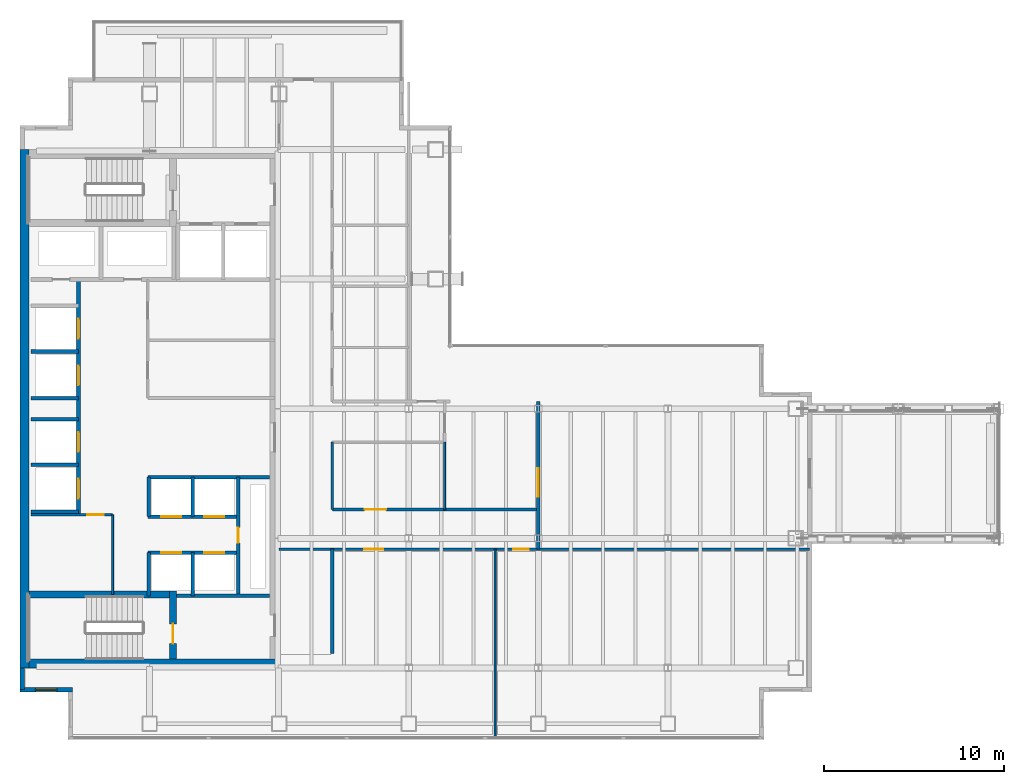
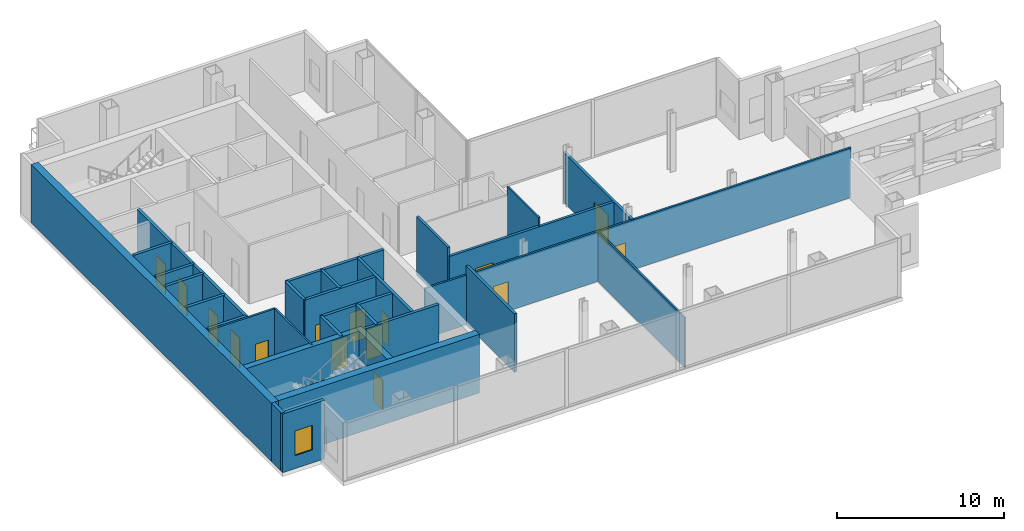
# One storey, part 16 of 20: 30 walls, 15 doors, 1 window, 16 openings.
"""IFC4 building model written with IfcOpenShell, lengths in metres."""

from ifc_helpers import new_model, si_unit, direction, frame, frame_2d, origin, place, context, subcontext, project, spatial, rectangle, extrude, material, layer, layer_set, type_object, element, fill, save


model = new_model("IFC4")

# Units and contexts
model_context = context("Model", 3, precision=1e-05, world=origin(), true_north=direction((0.0, 1.0)))
body_context = subcontext(model_context, "Body", "Model", "MODEL_VIEW")
ifc_project = project(units=[si_unit("LENGTHUNIT", "METRE"), si_unit("AREAUNIT", "SQUARE_METRE"), si_unit("VOLUMEUNIT", "CUBIC_METRE"), si_unit("PLANEANGLEUNIT", "RADIAN"), si_unit("MASSUNIT", "GRAM", prefix="KILO")], contexts=[model_context])

# Site, building, storey
site_placement = place(None, origin())
site = spatial("IfcSite", under=ifc_project, at=site_placement, CompositionType="ELEMENT")
building_placement = place(site_placement, origin())
building = spatial("IfcBuilding", under=site, at=building_placement, Name="Cobrela Telecom Tower", CompositionType="ELEMENT")
storey_placement = place(building_placement, frame((0.0, 0.0, 168.699951171875)))
storey = spatial("IfcBuildingStorey", under=building, at=storey_placement, Name="L42", CompositionType="ELEMENT", Elevation=168.699951171875)

# Walls
ifc_material_1 = material(Name="Concrete C40/50", Category="concrete")
ifc_layer_1 = layer(ifc_material_1, 0.5)
ifc_layer_set_1 = layer_set([ifc_layer_1], Name="Concrete C40/50")
wall_type_1 = type_object("IfcWallType", Name="WALL-CORE-C40-500", PredefinedType="SHEAR", material=ifc_layer_set_1)
wall_1_placement = place(storey_placement, frame((0.25, 7.199951171875, 0.0), z_axis=(0.0, 0.0, 1.0), x_axis=(0.0, 1.0, 0.0)))
element("IfcWall", 1, at=wall_1_placement, inside=storey, type_object=wall_type_1, Name="L42 West Core Shear Wall", PredefinedType="SHEAR", context=body_context, shape_type="SweptSolid", body=[
    extrude(rectangle(XDim=28.800048828125, YDim=0.5, at=frame_2d((14.39990234375, 0.0))), origin(), (0.0, 0.0, 1.0), 4.2900390625),
])
wall_2_placement = place(storey_placement, frame((0.5, 7.449951171875, 0.0), z_axis=(0.0, 0.0, 1.0), x_axis=(1.0, 0.0, 0.0)))
element("IfcWall", 2, at=wall_2_placement, inside=storey, type_object=wall_type_1, Name="L42 South Core Shear Wall", PredefinedType="SHEAR", context=body_context, shape_type="SweptSolid", body=[
    extrude(rectangle(XDim=13.89990234375, YDim=0.5, at=frame_2d((6.949951171875, 0.0))), origin(), (0.0, 0.0, 1.0), 4.2900390625),
])

# Wall, opening, window
ifc_layer_2 = layer(ifc_material_1, 0.239990234375)
ifc_layer_set_2 = layer_set([ifc_layer_2], Name="Concrete C40/50")
wall_type_2 = type_object("IfcWallType", Name="WALL-EXT-300", PredefinedType="STANDARD", material=ifc_layer_set_2)
wall_3_placement = place(storey_placement, frame((2.909912109375, 5.989990234375, 0.0), z_axis=(0.0, 0.0, 1.0), x_axis=(-1.0, 0.0, 0.0)))
wall_3 = element("IfcWall", 3, at=wall_3_placement, inside=storey, type_object=wall_type_2, Name="L42 Insulated Facade Wall 02", PredefinedType="STANDARD", context=body_context, shape_type="SweptSolid", body=[
    extrude(rectangle(XDim=2.909912109375, YDim=0.239990234375, at=frame_2d((1.455078125, 0.0))), origin(), (0.0, 0.0, 1.0), 4.2900390625),
])
opening_1_placement = place(wall_3_placement, frame((0.85498046875, 0.0, 0.949951171875)))
opening_1 = element("IfcOpeningElement", 4, at=opening_1_placement, cuts=wall_3, Name="Opening WN-19", PredefinedType="OPENING", context=body_context, shape_type="SweptSolid", body=[
    extrude(rectangle(XDim=1.199951171875, YDim=1.800048828125, at=frame_2d((0.60009765625, 0.89990234375))), frame((0.0, 0.1318359375, 0.0), z_axis=(0.0, -1.0, 0.0), x_axis=(1.0, 0.0, 0.0)), (0.0, 0.0, 1.0), 0.263916015625),
])
ifc_material_2 = material(Name="Solar-Control Bronze Low-E Glass", Category="glass")
window_type = type_object("IfcWindowType", Name="WIN-MOD-1200", PartitioningType="SINGLE_PANEL", PredefinedType="WINDOW", material=ifc_material_2)
window_placement = place(opening_1_placement, origin())
window = element("IfcWindow", 5, at=window_placement, inside=storey, type_object=window_type, Name="L42 Corner Notch Facade Window 201", OverallHeight=1.800048828125, OverallWidth=1.199951171875, PartitioningType="SINGLE_PANEL", PredefinedType="WINDOW", context=body_context, shape_type="SweptSolid", body=[
    extrude(rectangle(XDim=1.199951171875, YDim=1.800048828125, at=frame_2d((0.60009765625, 0.89990234375))), frame((0.0, 0.030029296875, 0.0), z_axis=(0.0, -1.0, 0.0), x_axis=(1.0, 0.0, 0.0)), (0.0, 0.0, 1.0), 0.06005859375),
])
fill(opening_1, window)

# Walls
wall_4_placement = place(storey_placement, frame((0.1201171875, 5.989990234375, 0.0), z_axis=(0.0, 0.0, 1.0), x_axis=(0.0, 1.0, 0.0)))
element("IfcWall", 6, at=wall_4_placement, inside=storey, type_object=wall_type_2, Name="L42 Insulated Facade Wall 03", PredefinedType="STANDARD", context=body_context, shape_type="SweptSolid", body=[
    extrude(rectangle(XDim=1.2099609375, YDim=0.239990234375, at=frame_2d((0.60498046875, 0.0))), origin(), (0.0, 0.0, 1.0), 4.2900390625),
])
ifc_material_3 = material(Name="Fire-Rated Gypsum Plasterboard")
ifc_layer_3 = layer(ifc_material_3, 0.110107421875)
ifc_layer_set_3 = layer_set([ifc_layer_3], Name="Fire-Rated Gypsum Plasterboard")
wall_type_3 = type_object("IfcWallType", Name="WALL-PART-110", PredefinedType="PARTITIONING", material=ifc_layer_set_3)
wall_5_placement = place(storey_placement, frame((5.14990234375, 11.280029296875, 0.0), z_axis=(0.0, 0.0, 1.0), x_axis=(0.0, 1.0, 0.0)))
element("IfcWall", 7, at=wall_5_placement, inside=storey, type_object=wall_type_3, Name="L42 Interior Partition CW-FLEX-E", PredefinedType="PARTITIONING", context=body_context, shape_type="SweptSolid", body=[
    extrude(rectangle(XDim=4.419921875, YDim=0.110107421875, at=frame_2d((2.2099609375, 0.0))), origin(), (0.0, 0.0, 1.0), 4.2900390625),
])
wall_6_placement = place(storey_placement, frame((26.39990234375, 3.320068359375, 0.0), z_axis=(0.0, 0.0, 1.0), x_axis=(0.0, 1.0, 0.0)))
element("IfcWall", 8, at=wall_6_placement, inside=storey, type_object=wall_type_3, Name="L42 Interior Partition W-SKY-V2", PredefinedType="PARTITIONING", context=body_context, shape_type="SweptSolid", body=[
    extrude(rectangle(XDim=10.47998046875, YDim=0.110107421875, at=frame_2d((5.239990234375, 0.0))), origin(), (0.0, 0.0, 1.0), 3.653076171875),
])
wall_7_placement = place(storey_placement, frame((23.60009765625, 16.0, 0.0), z_axis=(0.0, 0.0, 1.0), x_axis=(0.0, 1.0, 0.0)))
element("IfcWall", 9, at=wall_7_placement, inside=storey, type_object=wall_type_3, Name="L42 Interior Partition W-SKY-SALE", PredefinedType="PARTITIONING", context=body_context, shape_type="SweptSolid", body=[
    extrude(rectangle(XDim=3.75, YDim=0.110107421875, at=frame_2d((1.875, 0.0))), origin(), (0.0, 0.0, 1.0), 4.2900390625),
])

# Wall, opening, door
ifc_layer_4 = layer(ifc_material_3, 0.135009765625)
ifc_layer_set_4 = layer_set([ifc_layer_4], Name="Fire-Rated Gypsum Plasterboard")
wall_type_4 = type_object("IfcWallType", Name="WALL-PART-135", PredefinedType="PARTITIONING", material=ifc_layer_set_4)
wall_8_placement = place(storey_placement, frame((0.60009765625, 15.699951171875, 0.0), z_axis=(0.0, 0.0, 1.0), x_axis=(1.0, 0.0, 0.0)))
wall_8 = element("IfcWall", 10, at=wall_8_placement, inside=storey, type_object=wall_type_4, Name="L42 Interior Partition CW-FLEX-N", PredefinedType="PARTITIONING", context=body_context, shape_type="SweptSolid", body=[
    extrude(rectangle(XDim=4.5498046875, YDim=0.135009765625, at=frame_2d((2.27490234375, 0.0))), origin(), (0.0, 0.0, 1.0), 4.2900390625),
])
opening_2_placement = place(wall_8_placement, frame((3.14990234375, 0.0, 0.0)))
opening_2 = element("IfcOpeningElement", 11, at=opening_2_placement, cuts=wall_8, Name="Opening DR-41", PredefinedType="OPENING", context=body_context, shape_type="SweptSolid", body=[
    extrude(rectangle(XDim=0.89990234375, YDim=2.14990234375, at=frame_2d((0.449951171875, 1.074951171875))), frame((0.0, 0.07958984375, 0.0), z_axis=(0.0, -1.0, 0.0), x_axis=(1.0, 0.0, 0.0)), (0.0, 0.0, 1.0), 0.158935546875),
])
ifc_material_4 = material(Name="Solid Engineered Oak Timber", Category="wood")
door_type_1 = type_object("IfcDoorType", Name="DOOR-INT-900", OperationType="SINGLE_SWING_LEFT", PredefinedType="DOOR", material=ifc_material_4)
door_1_placement = place(opening_2_placement, origin())
door_1 = element("IfcDoor", 12, at=door_1_placement, inside=storey, type_object=door_type_1, Name="L42 Door DR-41", OperationType="SINGLE_SWING_LEFT", OverallHeight=2.14990234375, OverallWidth=0.89990234375, PredefinedType="DOOR", context=body_context, shape_type="SweptSolid", body=[
    extrude(rectangle(XDim=0.89990234375, YDim=2.14990234375, at=frame_2d((0.449951171875, 1.074951171875))), frame((0.0, 0.02490234375, 0.0), z_axis=(0.0, -1.0, 0.0), x_axis=(1.0, 0.0, 0.0)), (0.0, 0.0, 1.0), 0.050048828125),
])
fill(opening_2, door_1)

# Wall, openings, doors
wall_9_placement = place(storey_placement, frame((14.39990234375, 13.800048828125, 0.0), z_axis=(0.0, 0.0, 1.0), x_axis=(1.0, 0.0, 0.0)))
wall_9 = element("IfcWall", 13, at=wall_9_placement, inside=storey, type_object=wall_type_4, Name="L42 Interior Partition W-SKY-H2", PredefinedType="PARTITIONING", context=body_context, shape_type="SweptSolid", body=[
    extrude(rectangle(XDim=29.47998046875, YDim=0.135009765625, at=frame_2d((14.739990234375, 0.0))), origin(), (0.0, 0.0, 1.0), 3.653076171875),
])
opening_3_placement = place(wall_9_placement, frame((4.719970703125, 0.0, 0.0)))
opening_3 = element("IfcOpeningElement", 14, at=opening_3_placement, cuts=wall_9, Name="Opening DR-29", PredefinedType="OPENING", context=body_context, shape_type="SweptSolid", body=[
    extrude(rectangle(XDim=1.050048828125, YDim=2.14990234375, at=frame_2d((0.52490234375, 1.074951171875))), frame((0.0, 0.07958984375, 0.0), z_axis=(0.0, -1.0, 0.0), x_axis=(1.0, 0.0, 0.0)), (0.0, 0.0, 1.0), 0.158935546875),
])
opening_4_placement = place(wall_9_placement, frame((13.0, 0.0, 0.0)))
opening_4 = element("IfcOpeningElement", 15, at=opening_4_placement, cuts=wall_9, Name="Opening DR-39", PredefinedType="OPENING", context=body_context, shape_type="SweptSolid", body=[
    extrude(rectangle(XDim=0.8798828125, YDim=2.14990234375, at=frame_2d((0.43994140625, 1.074951171875))), frame((0.0, 0.07958984375, 0.0), z_axis=(0.0, -1.0, 0.0), x_axis=(1.0, 0.0, 0.0)), (0.0, 0.0, 1.0), 0.158935546875),
])
door_type_2 = type_object("IfcDoorType", Name="DOOR-INT-1050", OperationType="SINGLE_SWING_LEFT", PredefinedType="DOOR", material=ifc_material_4)
door_2_placement = place(opening_3_placement, origin())
door_2 = element("IfcDoor", 16, at=door_2_placement, inside=storey, type_object=door_type_2, Name="L42 Door DR-29", OperationType="SINGLE_SWING_RIGHT", OverallHeight=2.14990234375, OverallWidth=1.050048828125, PredefinedType="DOOR", context=body_context, shape_type="SweptSolid", body=[
    extrude(rectangle(XDim=1.050048828125, YDim=2.14990234375, at=frame_2d((0.52490234375, 1.074951171875))), frame((0.0, 0.02490234375, 0.0), z_axis=(0.0, -1.0, 0.0), x_axis=(1.0, 0.0, 0.0)), (0.0, 0.0, 1.0), 0.050048828125),
])
fill(opening_3, door_2)
door_type_3 = type_object("IfcDoorType", Name="DOOR-INT-880", OperationType="SINGLE_SWING_LEFT", PredefinedType="DOOR", material=ifc_material_4)
door_3_placement = place(opening_4_placement, origin())
door_3 = element("IfcDoor", 17, at=door_3_placement, inside=storey, type_object=door_type_3, Name="L42 Door DR-39", OperationType="SINGLE_SWING_LEFT", OverallHeight=2.14990234375, OverallWidth=0.8798828125, PredefinedType="DOOR", context=body_context, shape_type="SweptSolid", body=[
    extrude(rectangle(XDim=0.8798828125, YDim=2.14990234375, at=frame_2d((0.43994140625, 1.074951171875))), frame((0.0, 0.02490234375, 0.0), z_axis=(0.0, -1.0, 0.0), x_axis=(1.0, 0.0, 0.0)), (0.0, 0.0, 1.0), 0.050048828125),
])
fill(opening_4, door_3)

# Walls
ifc_layer_5 = layer(ifc_material_3, 0.159912109375)
ifc_layer_set_5 = layer_set([ifc_layer_5], Name="Fire-Rated Gypsum Plasterboard")
wall_type_5 = type_object("IfcWallType", Name="WALL-PART-160", PredefinedType="PARTITIONING", material=ifc_layer_set_5)
wall_10_placement = place(storey_placement, frame((17.35009765625, 16.0, 0.0), z_axis=(0.0, 0.0, 1.0), x_axis=(0.0, 1.0, 0.0)))
element("IfcWall", 18, at=wall_10_placement, inside=storey, type_object=wall_type_5, Name="L42 Interior Partition W-SKY-SALW", PredefinedType="PARTITIONING", context=body_context, shape_type="SweptSolid", body=[
    extrude(rectangle(XDim=3.75, YDim=0.159912109375, at=frame_2d((1.875, 0.0))), origin(), (0.0, 0.0, 1.0), 4.2900390625),
])
ifc_layer_6 = layer(ifc_material_3, 0.175048828125)
ifc_layer_set_6 = layer_set([ifc_layer_6], Name="Fire-Rated Gypsum Plasterboard")
wall_type_6 = type_object("IfcWallType", Name="WALL-PART-175", PredefinedType="PARTITIONING", material=ifc_layer_set_6)
wall_11_placement = place(storey_placement, frame((17.35009765625, 8.0, 0.0), z_axis=(0.0, 0.0, 1.0), x_axis=(0.0, 1.0, 0.0)))
element("IfcWall", 19, at=wall_11_placement, inside=storey, type_object=wall_type_6, Name="L42 Interior Partition W-SKY-LOBE", PredefinedType="PARTITIONING", context=body_context, shape_type="SweptSolid", body=[
    extrude(rectangle(XDim=5.800048828125, YDim=0.175048828125, at=frame_2d((2.89990234375, 0.0))), origin(), (0.0, 0.0, 1.0), 4.2900390625),
])

# Wall, opening, door
wall_12_placement = place(storey_placement, frame((17.35009765625, 16.0, 0.0), z_axis=(0.0, 0.0, 1.0), x_axis=(1.0, 0.0, 0.0)))
wall_12 = element("IfcWall", 20, at=wall_12_placement, inside=storey, type_object=wall_type_6, Name="L42 Interior Partition W-SKY-LOBN", PredefinedType="PARTITIONING", context=body_context, shape_type="SweptSolid", body=[
    extrude(rectangle(XDim=11.449951171875, YDim=0.175048828125, at=frame_2d((5.72509765625, 0.0))), origin(), (0.0, 0.0, 1.0), 3.653076171875),
])
opening_5_placement = place(wall_12_placement, frame((1.800048828125, 0.0, 0.0)))
opening_5 = element("IfcOpeningElement", 21, at=opening_5_placement, cuts=wall_12, Name="Opening DR-13", PredefinedType="OPENING", context=body_context, shape_type="SweptSolid", body=[
    extrude(rectangle(XDim=1.199951171875, YDim=2.14990234375, at=frame_2d((0.60009765625, 1.074951171875))), frame((0.0, 0.099609375, 0.0), z_axis=(0.0, -1.0, 0.0), x_axis=(1.0, 0.0, 0.0)), (0.0, 0.0, 1.0), 0.198974609375),
])
ifc_material_5 = material(Name="Anodized Bronze Aluminium 6063-T6", Category="aluminium")
door_type_4 = type_object("IfcDoorType", Name="DOOR-INT-1200", OperationType="SINGLE_SWING_LEFT", PredefinedType="DOOR", material=ifc_material_5)
door_4_placement = place(opening_5_placement, origin())
door_4 = element("IfcDoor", 22, at=door_4_placement, inside=storey, type_object=door_type_4, Name="L42 Door DR-13", OperationType="SINGLE_SWING_LEFT", OverallHeight=2.14990234375, OverallWidth=1.199951171875, PredefinedType="DOOR", context=body_context, shape_type="SweptSolid", body=[
    extrude(rectangle(XDim=1.199951171875, YDim=2.14990234375, at=frame_2d((0.60009765625, 1.074951171875))), frame((0.0, 0.02490234375, 0.0), z_axis=(0.0, -1.0, 0.0), x_axis=(1.0, 0.0, 0.0)), (0.0, 0.0, 1.0), 0.050048828125),
])
fill(opening_5, door_4)

wall_13_placement = place(storey_placement, frame((28.800048828125, 13.800048828125, 0.0), z_axis=(0.0, 0.0, 1.0), x_axis=(0.0, 1.0, 0.0)))
wall_13 = element("IfcWall", 23, at=wall_13_placement, inside=storey, type_object=wall_type_6, Name="L42 Interior Partition W-SKY-V1", PredefinedType="PARTITIONING", context=body_context, shape_type="SweptSolid", body=[
    extrude(rectangle(XDim=8.199951171875, YDim=0.175048828125, at=frame_2d((4.10009765625, 0.0))), origin(), (0.0, 0.0, 1.0), 3.653076171875),
])
opening_6_placement = place(wall_13_placement, frame((2.89990234375, 0.0, 0.0)))
opening_6 = element("IfcOpeningElement", 24, at=opening_6_placement, cuts=wall_13, Name="Opening DR-21", PredefinedType="OPENING", context=body_context, shape_type="SweptSolid", body=[
    extrude(rectangle(XDim=1.60009765625, YDim=2.199951171875, at=frame_2d((0.800048828125, 1.10009765625))), frame((0.0, 0.099609375, 0.0), z_axis=(0.0, -1.0, 0.0), x_axis=(1.0, 0.0, 0.0)), (0.0, 0.0, 1.0), 0.198974609375),
])
door_type_5 = type_object("IfcDoorType", Name="DOOR-INT-1600", OperationType="SINGLE_SWING_LEFT", PredefinedType="DOOR", material=ifc_material_5)
door_5_placement = place(opening_6_placement, origin())
door_5 = element("IfcDoor", 25, at=door_5_placement, inside=storey, type_object=door_type_5, Name="L42 Door DR-21", OperationType="DOUBLE_DOOR_SINGLE_SWING", OverallHeight=2.199951171875, OverallWidth=1.60009765625, PredefinedType="DOOR", context=body_context, shape_type="SweptSolid", body=[
    extrude(rectangle(XDim=1.60009765625, YDim=2.199951171875, at=frame_2d((0.800048828125, 1.10009765625))), frame((0.0, 0.02490234375, 0.0), z_axis=(0.0, -1.0, 0.0), x_axis=(1.0, 0.0, 0.0)), (0.0, 0.0, 1.0), 0.050048828125),
])
fill(opening_6, door_5)

# Wall
ifc_layer_7 = layer(ifc_material_3, 0.199951171875)
ifc_layer_set_7 = layer_set([ifc_layer_7], Name="Fire-Rated Gypsum Plasterboard")
wall_type_7 = type_object("IfcWallType", Name="WALL-SHAFT-200", PredefinedType="PARTITIONING", material=ifc_layer_set_7)
wall_14_placement = place(storey_placement, frame((8.699951171875, 11.199951171875, 0.0), z_axis=(0.0, 0.0, 1.0), x_axis=(1.0, 0.0, 0.0)))
element("IfcWall", 26, at=wall_14_placement, inside=storey, type_object=wall_type_7, Name="L42 Shaft Enclosure CW-ST2L-N", PredefinedType="PARTITIONING", context=body_context, shape_type="SweptSolid", body=[
    extrude(rectangle(XDim=5.150146484375, YDim=0.199951171875, at=frame_2d((2.5751953125, 0.0))), origin(), (0.0, 0.0, 1.0), 4.2900390625),
])

# Wall, openings, doors
wall_15_placement = place(storey_placement, frame((3.25, 15.699951171875, 0.0), z_axis=(0.0, 0.0, 1.0), x_axis=(0.0, 1.0, 0.0)))
wall_15 = element("IfcWall", 27, at=wall_15_placement, inside=storey, type_object=wall_type_7, Name="L42 Shaft Enclosure CW-PLH-E", PredefinedType="PARTITIONING", context=body_context, shape_type="SweptSolid", body=[
    extrude(rectangle(XDim=13.080078125, YDim=0.199951171875, at=frame_2d((6.5400390625, 0.0))), origin(), (0.0, 0.0, 1.0), 4.2900390625),
])
opening_7_placement = place(wall_15_placement, frame((0.89990234375, 0.0, 0.0)))
opening_7 = element("IfcOpeningElement", 28, at=opening_7_placement, cuts=wall_15, Name="Opening LD-1", PredefinedType="OPENING", context=body_context, shape_type="SweptSolid", body=[
    extrude(rectangle(XDim=1.10009765625, YDim=2.199951171875, at=frame_2d((0.550048828125, 1.10009765625))), frame((0.0, 0.11181640625, 0.0), z_axis=(0.0, -1.0, 0.0), x_axis=(1.0, 0.0, 0.0)), (0.0, 0.0, 1.0), 0.223876953125),
])
opening_8_placement = place(wall_15_placement, frame((3.5, 0.0, 0.0)))
opening_8 = element("IfcOpeningElement", 29, at=opening_8_placement, cuts=wall_15, Name="Opening LD-1", PredefinedType="OPENING", context=body_context, shape_type="SweptSolid", body=[
    extrude(rectangle(XDim=1.10009765625, YDim=2.199951171875, at=frame_2d((0.550048828125, 1.10009765625))), frame((0.0, 0.11181640625, 0.0), z_axis=(0.0, -1.0, 0.0), x_axis=(1.0, 0.0, 0.0)), (0.0, 0.0, 1.0), 0.223876953125),
])
opening_9_placement = place(wall_15_placement, frame((7.199951171875, 0.0, 0.0)))
opening_9 = element("IfcOpeningElement", 30, at=opening_9_placement, cuts=wall_15, Name="Opening LD-1", PredefinedType="OPENING", context=body_context, shape_type="SweptSolid", body=[
    extrude(rectangle(XDim=1.10009765625, YDim=2.199951171875, at=frame_2d((0.550048828125, 1.10009765625))), frame((0.0, 0.11181640625, 0.0), z_axis=(0.0, -1.0, 0.0), x_axis=(1.0, 0.0, 0.0)), (0.0, 0.0, 1.0), 0.223876953125),
])
opening_10_placement = place(wall_15_placement, frame((9.800048828125, 0.0, 0.0)))
opening_10 = element("IfcOpeningElement", 31, at=opening_10_placement, cuts=wall_15, Name="Opening LD-1", PredefinedType="OPENING", context=body_context, shape_type="SweptSolid", body=[
    extrude(rectangle(XDim=1.10009765625, YDim=2.199951171875, at=frame_2d((0.550048828125, 1.10009765625))), frame((0.0, 0.11181640625, 0.0), z_axis=(0.0, -1.0, 0.0), x_axis=(1.0, 0.0, 0.0)), (0.0, 0.0, 1.0), 0.223876953125),
])
ifc_material_6 = material(Name="Steel ASTM A36", Category="steel")
door_type_6 = type_object("IfcDoorType", Name="DOOR-LD-PL", OperationType="SINGLE_SWING_LEFT", PredefinedType="DOOR", material=ifc_material_6)
door_6_placement = place(opening_7_placement, origin())
door_6 = element("IfcDoor", 32, at=door_6_placement, inside=storey, type_object=door_type_6, Name="L42 Lift Landing Door LD-1", OperationType="DOUBLE_DOOR_SLIDING", OverallHeight=2.199951171875, OverallWidth=1.10009765625, PredefinedType="DOOR", context=body_context, shape_type="SweptSolid", body=[
    extrude(rectangle(XDim=1.10009765625, YDim=2.199951171875, at=frame_2d((0.550048828125, 1.10009765625))), frame((0.0, 0.02490234375, 0.0), z_axis=(0.0, -1.0, 0.0), x_axis=(1.0, 0.0, 0.0)), (0.0, 0.0, 1.0), 0.050048828125),
])
fill(opening_7, door_6)
door_7_placement = place(opening_8_placement, origin())
door_7 = element("IfcDoor", 33, at=door_7_placement, inside=storey, type_object=door_type_6, Name="L42 Lift Landing Door LD-1", OperationType="DOUBLE_DOOR_SLIDING", OverallHeight=2.199951171875, OverallWidth=1.10009765625, PredefinedType="DOOR", context=body_context, shape_type="SweptSolid", body=[
    extrude(rectangle(XDim=1.10009765625, YDim=2.199951171875, at=frame_2d((0.550048828125, 1.10009765625))), frame((0.0, 0.02490234375, 0.0), z_axis=(0.0, -1.0, 0.0), x_axis=(1.0, 0.0, 0.0)), (0.0, 0.0, 1.0), 0.050048828125),
])
fill(opening_8, door_7)
door_8_placement = place(opening_9_placement, origin())
door_8 = element("IfcDoor", 34, at=door_8_placement, inside=storey, type_object=door_type_6, Name="L42 Lift Landing Door LD-1", OperationType="DOUBLE_DOOR_SLIDING", OverallHeight=2.199951171875, OverallWidth=1.10009765625, PredefinedType="DOOR", context=body_context, shape_type="SweptSolid", body=[
    extrude(rectangle(XDim=1.10009765625, YDim=2.199951171875, at=frame_2d((0.550048828125, 1.10009765625))), frame((0.0, 0.02490234375, 0.0), z_axis=(0.0, -1.0, 0.0), x_axis=(1.0, 0.0, 0.0)), (0.0, 0.0, 1.0), 0.050048828125),
])
fill(opening_9, door_8)
door_9_placement = place(opening_10_placement, origin())
door_9 = element("IfcDoor", 35, at=door_9_placement, inside=storey, type_object=door_type_6, Name="L42 Lift Landing Door LD-1", OperationType="DOUBLE_DOOR_SLIDING", OverallHeight=2.199951171875, OverallWidth=1.10009765625, PredefinedType="DOOR", context=body_context, shape_type="SweptSolid", body=[
    extrude(rectangle(XDim=1.10009765625, YDim=2.199951171875, at=frame_2d((0.550048828125, 1.10009765625))), frame((0.0, 0.02490234375, 0.0), z_axis=(0.0, -1.0, 0.0), x_axis=(1.0, 0.0, 0.0)), (0.0, 0.0, 1.0), 0.050048828125),
])
fill(opening_10, door_9)

# Walls
for number, where, z_axis, x_axis, name in (
    (36, (0.60009765625, 15.8798828125, 0.0), (0.0, 0.0, 1.0), (1.0, 0.0, 0.0), "L42 Shaft Enclosure CW-PLH-D9"),
    (37, (0.60009765625, 18.47998046875, 0.0), (0.0, 0.0, 1.0), (1.0, 0.0, 0.0), "L42 Shaft Enclosure CW-PLH-D10"),
    (38, (0.60009765625, 22.179931640625, 0.0), (0.0, 0.0, 1.0), (1.0, 0.0, 0.0), "L42 Shaft Enclosure CW-PLH-D11"),
    (39, (0.60009765625, 24.780029296875, 0.0), (0.0, 0.0, 1.0), (1.0, 0.0, 0.0), "L42 Shaft Enclosure CW-PLH-D12"),
    (40, (0.60009765625, 21.02001953125, 0.0), (0.0, 0.0, 1.0), (1.0, 0.0, 0.0), "L42 Shaft Enclosure CW-PLH-MID"),
):
    element("IfcWall", number, at=place(storey_placement, frame(where, z_axis=z_axis, x_axis=x_axis)), inside=storey, type_object=wall_type_7, Name=name, PredefinedType="PARTITIONING", context=body_context, shape_type="SweptSolid", body=[
        extrude(rectangle(XDim=2.64990234375, YDim=0.199951171875, at=frame_2d((1.324951171875, 0.0))), origin(), (0.0, 0.0, 1.0), 4.2900390625),
    ])
wall_16_placement = place(storey_placement, frame((7.10009765625, 17.800048828125, 0.0), z_axis=(0.0, 0.0, 1.0), x_axis=(1.0, 0.0, 0.0)))
element("IfcWall", 41, at=wall_16_placement, inside=storey, type_object=wall_type_7, Name="L42 Shaft Enclosure CW-PLM-T0", PredefinedType="PARTITIONING", context=body_context, shape_type="SweptSolid", body=[
    extrude(rectangle(XDim=6.75, YDim=0.199951171875, at=frame_2d((3.375, 0.0))), origin(), (0.0, 0.0, 1.0), 4.2900390625),
])

# Wall, openings, doors
wall_17_placement = place(storey_placement, frame((7.10009765625, 15.60009765625, 0.0), z_axis=(0.0, 0.0, 1.0), x_axis=(1.0, 0.0, 0.0)))
wall_17 = element("IfcWall", 42, at=wall_17_placement, inside=storey, type_object=wall_type_7, Name="L42 Shaft Enclosure CW-PLM-N", PredefinedType="PARTITIONING", context=body_context, shape_type="SweptSolid", body=[
    extrude(rectangle(XDim=5.02001953125, YDim=0.199951171875, at=frame_2d((2.510009765625, 0.0))), origin(), (0.0, 0.0, 1.0), 4.2900390625),
])
opening_11_placement = place(wall_17_placement, frame((0.75, 0.0, 0.0)))
opening_11 = element("IfcOpeningElement", 43, at=opening_11_placement, cuts=wall_17, Name="Opening LD-1", PredefinedType="OPENING", context=body_context, shape_type="SweptSolid", body=[
    extrude(rectangle(XDim=1.10009765625, YDim=2.199951171875, at=frame_2d((0.550048828125, 1.10009765625))), frame((0.0, 0.11181640625, 0.0), z_axis=(0.0, -1.0, 0.0), x_axis=(1.0, 0.0, 0.0)), (0.0, 0.0, 1.0), 0.223876953125),
])
opening_12_placement = place(wall_17_placement, frame((3.14990234375, 0.0, 0.0)))
opening_12 = element("IfcOpeningElement", 44, at=opening_12_placement, cuts=wall_17, Name="Opening LD-1", PredefinedType="OPENING", context=body_context, shape_type="SweptSolid", body=[
    extrude(rectangle(XDim=1.10009765625, YDim=2.199951171875, at=frame_2d((0.550048828125, 1.10009765625))), frame((0.0, 0.11181640625, 0.0), z_axis=(0.0, -1.0, 0.0), x_axis=(1.0, 0.0, 0.0)), (0.0, 0.0, 1.0), 0.223876953125),
])
door_10_placement = place(opening_11_placement, origin())
door_10 = element("IfcDoor", 45, at=door_10_placement, inside=storey, type_object=door_type_6, Name="L42 Lift Landing Door LD-1", OperationType="DOUBLE_DOOR_SLIDING", OverallHeight=2.199951171875, OverallWidth=1.10009765625, PredefinedType="DOOR", context=body_context, shape_type="SweptSolid", body=[
    extrude(rectangle(XDim=1.10009765625, YDim=2.199951171875, at=frame_2d((0.550048828125, 1.10009765625))), frame((0.0, 0.02490234375, 0.0), z_axis=(0.0, -1.0, 0.0), x_axis=(1.0, 0.0, 0.0)), (0.0, 0.0, 1.0), 0.050048828125),
])
fill(opening_11, door_10)
door_11_placement = place(opening_12_placement, origin())
door_11 = element("IfcDoor", 46, at=door_11_placement, inside=storey, type_object=door_type_6, Name="L42 Lift Landing Door LD-1", OperationType="DOUBLE_DOOR_SLIDING", OverallHeight=2.199951171875, OverallWidth=1.10009765625, PredefinedType="DOOR", context=body_context, shape_type="SweptSolid", body=[
    extrude(rectangle(XDim=1.10009765625, YDim=2.199951171875, at=frame_2d((0.550048828125, 1.10009765625))), frame((0.0, 0.02490234375, 0.0), z_axis=(0.0, -1.0, 0.0), x_axis=(1.0, 0.0, 0.0)), (0.0, 0.0, 1.0), 0.050048828125),
])
fill(opening_12, door_11)

wall_18_placement = place(storey_placement, frame((7.10009765625, 13.60009765625, 0.0), z_axis=(0.0, 0.0, 1.0), x_axis=(1.0, 0.0, 0.0)))
wall_18 = element("IfcWall", 47, at=wall_18_placement, inside=storey, type_object=wall_type_7, Name="L42 Shaft Enclosure CW-PLM-S", PredefinedType="PARTITIONING", context=body_context, shape_type="SweptSolid", body=[
    extrude(rectangle(XDim=5.02001953125, YDim=0.199951171875, at=frame_2d((2.510009765625, 0.0))), origin(), (0.0, 0.0, 1.0), 4.2900390625),
])
opening_13_placement = place(wall_18_placement, frame((0.75, 0.0, 0.0)))
opening_13 = element("IfcOpeningElement", 48, at=opening_13_placement, cuts=wall_18, Name="Opening LD-1", PredefinedType="OPENING", context=body_context, shape_type="SweptSolid", body=[
    extrude(rectangle(XDim=1.10009765625, YDim=2.199951171875, at=frame_2d((0.550048828125, 1.10009765625))), frame((0.0, 0.11181640625, 0.0), z_axis=(0.0, -1.0, 0.0), x_axis=(1.0, 0.0, 0.0)), (0.0, 0.0, 1.0), 0.223876953125),
])
opening_14_placement = place(wall_18_placement, frame((3.14990234375, 0.0, 0.0)))
opening_14 = element("IfcOpeningElement", 49, at=opening_14_placement, cuts=wall_18, Name="Opening LD-1", PredefinedType="OPENING", context=body_context, shape_type="SweptSolid", body=[
    extrude(rectangle(XDim=1.10009765625, YDim=2.199951171875, at=frame_2d((0.550048828125, 1.10009765625))), frame((0.0, 0.11181640625, 0.0), z_axis=(0.0, -1.0, 0.0), x_axis=(1.0, 0.0, 0.0)), (0.0, 0.0, 1.0), 0.223876953125),
])
door_12_placement = place(opening_13_placement, origin())
door_12 = element("IfcDoor", 50, at=door_12_placement, inside=storey, type_object=door_type_6, Name="L42 Lift Landing Door LD-1", OperationType="DOUBLE_DOOR_SLIDING", OverallHeight=2.199951171875, OverallWidth=1.10009765625, PredefinedType="DOOR", context=body_context, shape_type="SweptSolid", body=[
    extrude(rectangle(XDim=1.10009765625, YDim=2.199951171875, at=frame_2d((0.550048828125, 1.10009765625))), frame((0.0, 0.02490234375, 0.0), z_axis=(0.0, -1.0, 0.0), x_axis=(1.0, 0.0, 0.0)), (0.0, 0.0, 1.0), 0.050048828125),
])
fill(opening_13, door_12)
door_13_placement = place(opening_14_placement, origin())
door_13 = element("IfcDoor", 51, at=door_13_placement, inside=storey, type_object=door_type_6, Name="L42 Lift Landing Door LD-1", OperationType="DOUBLE_DOOR_SLIDING", OverallHeight=2.199951171875, OverallWidth=1.10009765625, PredefinedType="DOOR", context=body_context, shape_type="SweptSolid", body=[
    extrude(rectangle(XDim=1.10009765625, YDim=2.199951171875, at=frame_2d((0.550048828125, 1.10009765625))), frame((0.0, 0.02490234375, 0.0), z_axis=(0.0, -1.0, 0.0), x_axis=(1.0, 0.0, 0.0)), (0.0, 0.0, 1.0), 0.050048828125),
])
fill(opening_14, door_13)

# Walls
wall_19_placement = place(storey_placement, frame((7.14990234375, 15.60009765625, 0.0), z_axis=(0.0, 0.0, 1.0), x_axis=(0.0, 1.0, 0.0)))
element("IfcWall", 52, at=wall_19_placement, inside=storey, type_object=wall_type_7, Name="L42 Shaft Enclosure CW-PLM-V1", PredefinedType="PARTITIONING", context=body_context, shape_type="SweptSolid", body=[
    extrude(rectangle(XDim=2.199951171875, YDim=0.199951171875, at=frame_2d((1.10009765625, 0.0))), origin(), (0.0, 0.0, 1.0), 4.2900390625),
])
wall_20_placement = place(storey_placement, frame((7.14990234375, 11.199951171875, 0.0), z_axis=(0.0, 0.0, 1.0), x_axis=(0.0, 1.0, 0.0)))
element("IfcWall", 53, at=wall_20_placement, inside=storey, type_object=wall_type_7, Name="L42 Shaft Enclosure CW-PLM-V1B", PredefinedType="PARTITIONING", context=body_context, shape_type="SweptSolid", body=[
    extrude(rectangle(XDim=2.400146484375, YDim=0.199951171875, at=frame_2d((1.2001953125, 0.0))), origin(), (0.0, 0.0, 1.0), 4.2900390625),
])
wall_21_placement = place(storey_placement, frame((9.60009765625, 15.60009765625, 0.0), z_axis=(0.0, 0.0, 1.0), x_axis=(0.0, 1.0, 0.0)))
element("IfcWall", 54, at=wall_21_placement, inside=storey, type_object=wall_type_7, Name="L42 Shaft Enclosure CW-PLM-V2", PredefinedType="PARTITIONING", context=body_context, shape_type="SweptSolid", body=[
    extrude(rectangle(XDim=2.199951171875, YDim=0.199951171875, at=frame_2d((1.10009765625, 0.0))), origin(), (0.0, 0.0, 1.0), 4.2900390625),
])
wall_22_placement = place(storey_placement, frame((9.60009765625, 11.199951171875, 0.0), z_axis=(0.0, 0.0, 1.0), x_axis=(0.0, 1.0, 0.0)))
element("IfcWall", 55, at=wall_22_placement, inside=storey, type_object=wall_type_7, Name="L42 Shaft Enclosure CW-PLM-V2B", PredefinedType="PARTITIONING", context=body_context, shape_type="SweptSolid", body=[
    extrude(rectangle(XDim=2.400146484375, YDim=0.199951171875, at=frame_2d((1.2001953125, 0.0))), origin(), (0.0, 0.0, 1.0), 4.2900390625),
])

# Wall, opening, door
wall_23_placement = place(storey_placement, frame((12.1201171875, 11.199951171875, 0.0), z_axis=(0.0, 0.0, 1.0), x_axis=(0.0, 1.0, 0.0)))
wall_23 = element("IfcWall", 56, at=wall_23_placement, inside=storey, type_object=wall_type_7, Name="L42 Shaft Enclosure CW-PLM-V3", PredefinedType="PARTITIONING", context=body_context, shape_type="SweptSolid", body=[
    extrude(rectangle(XDim=6.60009765625, YDim=0.199951171875, at=frame_2d((3.300048828125, 0.0))), origin(), (0.0, 0.0, 1.0), 4.2900390625),
])
opening_15_placement = place(wall_23_placement, frame((2.949951171875, 0.0, 0.0)))
opening_15 = element("IfcOpeningElement", 57, at=opening_15_placement, cuts=wall_23, Name="Opening DR-11", PredefinedType="OPENING", context=body_context, shape_type="SweptSolid", body=[
    extrude(rectangle(XDim=0.85009765625, YDim=2.14990234375, at=frame_2d((0.425048828125, 1.074951171875))), frame((0.0, 0.11181640625, 0.0), z_axis=(0.0, -1.0, 0.0), x_axis=(1.0, 0.0, 0.0)), (0.0, 0.0, 1.0), 0.223876953125),
])
door_type_7 = type_object("IfcDoorType", Name="DOOR-INT-850", OperationType="SINGLE_SWING_LEFT", PredefinedType="DOOR", material=ifc_material_4)
door_14_placement = place(opening_15_placement, origin())
door_14 = element("IfcDoor", 58, at=door_14_placement, inside=storey, type_object=door_type_7, Name="L42 Door DR-11", OperationType="SINGLE_SWING_RIGHT", OverallHeight=2.14990234375, OverallWidth=0.85009765625, PredefinedType="DOOR", context=body_context, shape_type="SweptSolid", body=[
    extrude(rectangle(XDim=0.85009765625, YDim=2.14990234375, at=frame_2d((0.425048828125, 1.074951171875))), frame((0.0, 0.02490234375, 0.0), z_axis=(0.0, -1.0, 0.0), x_axis=(1.0, 0.0, 0.0)), (0.0, 0.0, 1.0), 0.050048828125),
])
fill(opening_15, door_14)

# Wall
ifc_layer_8 = layer(ifc_material_1, 0.39990234375)
ifc_layer_set_8 = layer_set([ifc_layer_8], Name="Concrete C40/50")
wall_type_8 = type_object("IfcWallType", Name="WALL-SHAFT-C40-400", PredefinedType="SHEAR", material=ifc_layer_set_8)
wall_24_placement = place(storey_placement, frame((0.5, 11.280029296875, 0.0), z_axis=(0.0, 0.0, 1.0), x_axis=(1.0, 0.0, 0.0)))
element("IfcWall", 59, at=wall_24_placement, inside=storey, type_object=wall_type_8, Name="L42 South Stair Shear Wall", PredefinedType="SHEAR", context=body_context, shape_type="SweptSolid", body=[
    extrude(rectangle(XDim=7.800048828125, YDim=0.39990234375, at=frame_2d((3.89990234375, 0.0))), origin(), (0.0, 0.0, 1.0), 4.2900390625),
])

# Wall, opening, door
wall_25_placement = place(storey_placement, frame((8.5, 7.699951171875, 0.0), z_axis=(0.0, 0.0, 1.0), x_axis=(0.0, 1.0, 0.0)))
wall_25 = element("IfcWall", 60, at=wall_25_placement, inside=storey, type_object=wall_type_8, Name="L42 South Stair Lobby Shear Wall", PredefinedType="SHEAR", context=body_context, shape_type="SweptSolid", body=[
    extrude(rectangle(XDim=3.780029296875, YDim=0.39990234375, at=frame_2d((1.89013671875, 0.0))), origin(), (0.0, 0.0, 1.0), 4.2900390625),
])
opening_16_placement = place(wall_25_placement, frame((0.85009765625, 0.0, 0.0)))
opening_16 = element("IfcOpeningElement", 61, at=opening_16_placement, cuts=wall_25, Name="Opening FD-90", PredefinedType="OPENING", context=body_context, shape_type="SweptSolid", body=[
    extrude(rectangle(XDim=1.10009765625, YDim=2.14990234375, at=frame_2d((0.550048828125, 1.074951171875))), frame((0.0, 0.2119140625, 0.0), z_axis=(0.0, -1.0, 0.0), x_axis=(1.0, 0.0, 0.0)), (0.0, 0.0, 1.0), 0.423828125),
])
door_type_8 = type_object("IfcDoorType", Name="DOOR-FD90-1100", OperationType="SINGLE_SWING_LEFT", PredefinedType="DOOR", material=ifc_material_6)
door_15_placement = place(opening_16_placement, origin())
door_15 = element("IfcDoor", 62, at=door_15_placement, inside=storey, type_object=door_type_8, Name="L42 Door FD-90", OperationType="SINGLE_SWING_LEFT", OverallHeight=2.14990234375, OverallWidth=1.10009765625, PredefinedType="DOOR", context=body_context, shape_type="SweptSolid", body=[
    extrude(rectangle(XDim=1.10009765625, YDim=2.14990234375, at=frame_2d((0.550048828125, 1.074951171875))), frame((0.0, 0.02490234375, 0.0), z_axis=(0.0, -1.0, 0.0), x_axis=(1.0, 0.0, 0.0)), (0.0, 0.0, 1.0), 0.050048828125),
])
fill(opening_16, door_15)

save(model, "model.ifc")
